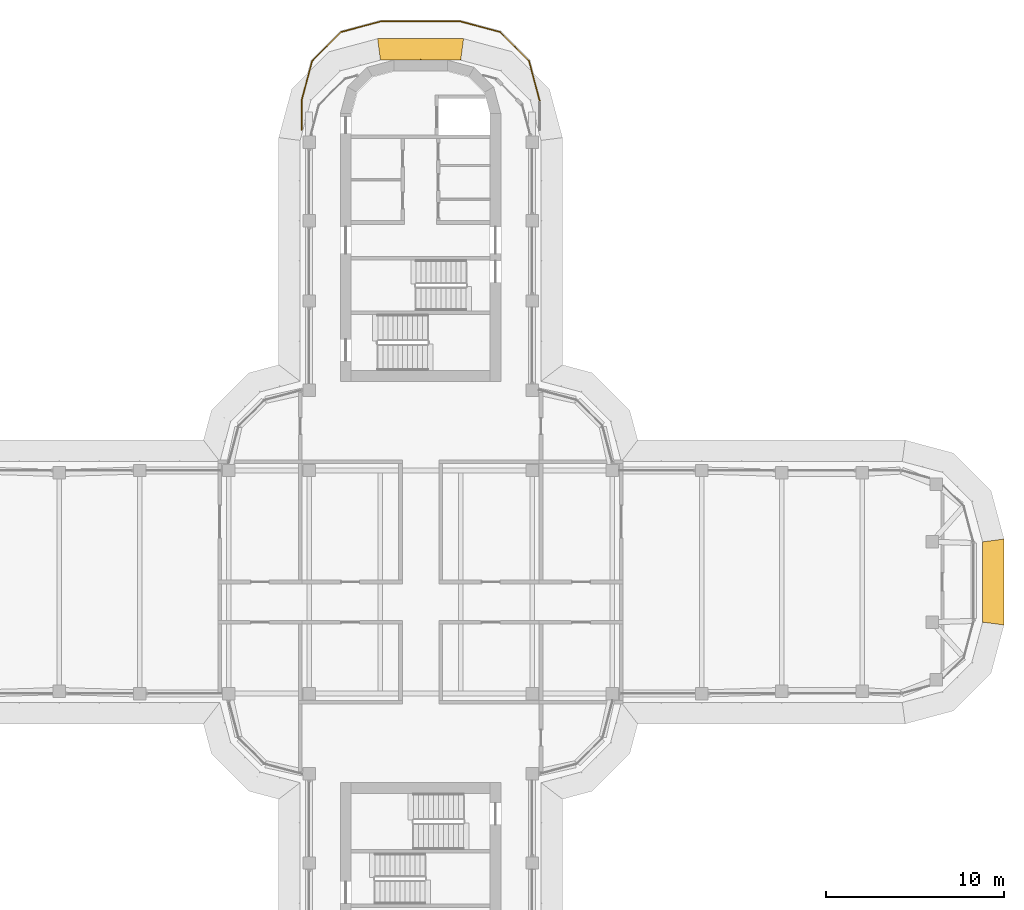
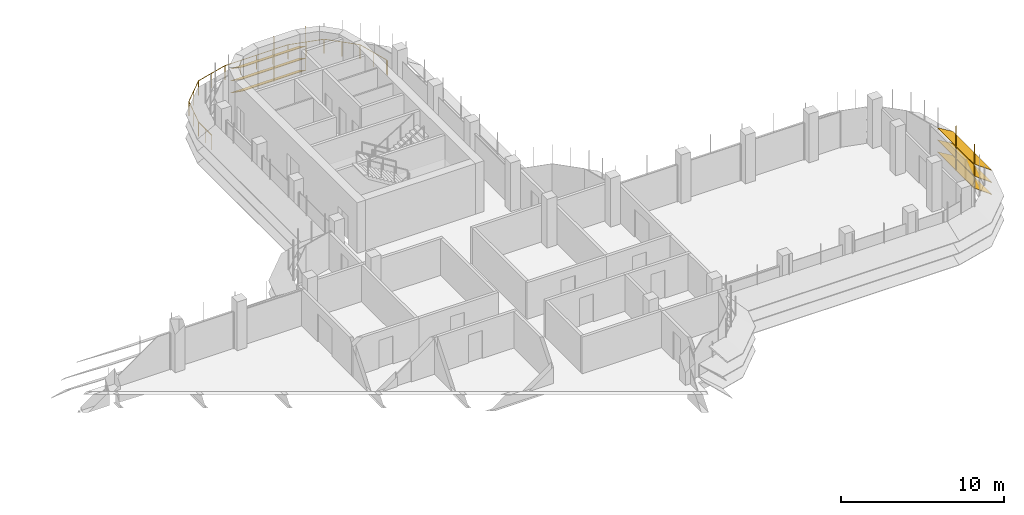
# One storey, part 19 of 19: 2 shading devices, 1 railing.
"""IFC4 building model written with IfcOpenShell, lengths in metres."""

from ifc_helpers import new_model, si_unit, direction, frame, origin, origin_2d, place, context, subcontext, project, spatial, polyline, circle, outline, extrude, faceted_brep, source, transform, mapped, material, type_object, element, save


model = new_model("IFC4")

# Units and contexts
model_context = context("Model", 3, precision=1e-05, world=origin(), true_north=direction((0.0, 1.0)))
body_context = subcontext(model_context, "Body", "Model", "MODEL_VIEW")
ifc_project = project(units=[si_unit("LENGTHUNIT", "METRE"), si_unit("AREAUNIT", "SQUARE_METRE"), si_unit("VOLUMEUNIT", "CUBIC_METRE"), si_unit("PLANEANGLEUNIT", "RADIAN"), si_unit("MASSUNIT", "GRAM", prefix="KILO")], contexts=[model_context])

# Site, building, storey
site_placement = place(None, origin())
site = spatial("IfcSite", under=ifc_project, at=site_placement, CompositionType="ELEMENT")
building_placement = place(site_placement, origin())
building = spatial("IfcBuilding", under=site, at=building_placement, Name="Zarbagh Exchange Tower", CompositionType="ELEMENT")
storey_placement = place(building_placement, frame((0.0, 0.0, 218.199951171875)))
storey = spatial("IfcBuildingStorey", under=building, at=storey_placement, Name="L53", CompositionType="ELEMENT", Elevation=218.199951171875)

# Railing
ifc_material_1 = material(Name="Stainless steel and laminated glass", Category="steel")
railing_type = type_object("IfcRailingType", Name="Terrace guard, glass balustrade 1.1 m", PredefinedType="GUARDRAIL", material=ifc_material_1)
railing_placement = place(storey_placement, frame((-6.669921875, 25.357666015625, 0.0)))
element("IfcRailing", 1, at=railing_placement, inside=storey, type_object=railing_type, Name="TG01 terrace guard", PredefinedType="GUARDRAIL", context=body_context, shape_type="SweptSolid", body=[
    extrude(circle(Radius=0.02490234375, at=origin_2d()), frame((0.0, 0.0, 1.0751953125), z_axis=(0.0, 1.0, 0.0), x_axis=(-1.0, 0.0, 0.0)), (0.0, 0.0, 1.0), 1.6318359375),
    extrude(circle(Radius=0.02490234375, at=origin_2d()), frame((0.0, 1.6318359375, 1.0751953125), z_axis=(0.258780353152, 0.965936192935, 0.0), x_axis=(-0.965936192935, 0.258780353152, 0.0)), (0.0, 0.0, 1.0), 2.29736328125),
    extrude(circle(Radius=0.02490234375, at=origin_2d()), frame((0.594482421875, 3.850830078125, 1.0751953125), z_axis=(0.707106781187, 0.707106781187, 0.0), x_axis=(-0.707106781187, 0.707106781187, 0.0)), (0.0, 0.0, 1.0), 2.28662109375),
    extrude(circle(Radius=0.02490234375, at=origin_2d()), frame((2.21142578125, 5.4677734375, 1.0751953125), z_axis=(0.965936192935, 0.258780353152, 0.0), x_axis=(-0.258780353152, 0.965936192935, 0.0)), (0.0, 0.0, 1.0), 2.29736328125),
    extrude(circle(Radius=0.02490234375, at=origin_2d()), frame((4.430419921875, 6.062255859375, 1.0751953125), z_axis=(1.0, 0.0, 0.0), x_axis=(0.0, 1.0, 0.0)), (0.0, 0.0, 1.0), 4.47900390625),
    extrude(circle(Radius=0.02490234375, at=origin_2d()), frame((8.909423828125, 6.062255859375, 1.0751953125), z_axis=(0.965936192935, -0.258780353152, 0.0), x_axis=(0.258780353152, 0.965936192935, 0.0)), (0.0, 0.0, 1.0), 2.29736328125),
    extrude(circle(Radius=0.02490234375, at=origin_2d()), frame((11.12841796875, 5.4677734375, 1.0751953125), z_axis=(0.707106781187, -0.707106781187, 0.0), x_axis=(0.707106781187, 0.707106781187, 0.0)), (0.0, 0.0, 1.0), 2.28662109375),
    extrude(circle(Radius=0.02490234375, at=origin_2d()), frame((12.745361328125, 3.850830078125, 1.0751953125), z_axis=(0.258780353152, -0.965936192935, 0.0), x_axis=(0.965936192935, 0.258780353152, 0.0)), (0.0, 0.0, 1.0), 2.29736328125),
    extrude(circle(Radius=0.02490234375, at=origin_2d()), frame((13.33984375, 1.6318359375, 1.0751953125), z_axis=(0.0, -1.0, 0.0), x_axis=(1.0, 0.0, 0.0)), (0.0, 0.0, 1.0), 0.126708984375),
    extrude(circle(Radius=0.02490234375, at=origin_2d()), origin(), (0.0, 0.0, 1.0), 1.050048828125),
    extrude(circle(Radius=0.02490234375, at=origin_2d()), frame((0.0, 0.81591796875, 0.0)), (0.0, 0.0, 1.0), 1.050048828125),
    extrude(circle(Radius=0.02490234375, at=origin_2d()), frame((0.0, 1.6318359375, 0.0)), (0.0, 0.0, 1.0), 1.050048828125),
    extrude(circle(Radius=0.02490234375, at=origin_2d()), frame((0.29736328125, 2.7412109375, 0.0)), (0.0, 0.0, 1.0), 1.050048828125),
    extrude(circle(Radius=0.02490234375, at=origin_2d()), frame((0.594482421875, 3.850830078125, 0.0)), (0.0, 0.0, 1.0), 1.050048828125),
    extrude(circle(Radius=0.02490234375, at=origin_2d()), frame((1.40283203125, 4.6591796875, 0.0)), (0.0, 0.0, 1.0), 1.050048828125),
    extrude(circle(Radius=0.02490234375, at=origin_2d()), frame((2.21142578125, 5.4677734375, 0.0)), (0.0, 0.0, 1.0), 1.050048828125),
    extrude(circle(Radius=0.02490234375, at=origin_2d()), frame((3.32080078125, 5.76513671875, 0.0)), (0.0, 0.0, 1.0), 1.050048828125),
    extrude(circle(Radius=0.02490234375, at=origin_2d()), frame((4.430419921875, 6.062255859375, 0.0)), (0.0, 0.0, 1.0), 1.050048828125),
    extrude(circle(Radius=0.02490234375, at=origin_2d()), frame((5.55029296875, 6.062255859375, 0.0)), (0.0, 0.0, 1.0), 1.050048828125),
    extrude(circle(Radius=0.02490234375, at=origin_2d()), frame((6.669921875, 6.062255859375, 0.0)), (0.0, 0.0, 1.0), 1.050048828125),
    extrude(circle(Radius=0.02490234375, at=origin_2d()), frame((7.78955078125, 6.062255859375, 0.0)), (0.0, 0.0, 1.0), 1.050048828125),
    extrude(circle(Radius=0.02490234375, at=origin_2d()), frame((8.909423828125, 6.062255859375, 0.0)), (0.0, 0.0, 1.0), 1.050048828125),
    extrude(circle(Radius=0.02490234375, at=origin_2d()), frame((10.01904296875, 5.76513671875, 0.0)), (0.0, 0.0, 1.0), 1.050048828125),
    extrude(circle(Radius=0.02490234375, at=origin_2d()), frame((11.12841796875, 5.4677734375, 0.0)), (0.0, 0.0, 1.0), 1.050048828125),
    extrude(circle(Radius=0.02490234375, at=origin_2d()), frame((11.93701171875, 4.6591796875, 0.0)), (0.0, 0.0, 1.0), 1.050048828125),
    extrude(circle(Radius=0.02490234375, at=origin_2d()), frame((12.745361328125, 3.850830078125, 0.0)), (0.0, 0.0, 1.0), 1.050048828125),
    extrude(circle(Radius=0.02490234375, at=origin_2d()), frame((13.04248046875, 2.7412109375, 0.0)), (0.0, 0.0, 1.0), 1.050048828125),
    extrude(circle(Radius=0.02490234375, at=origin_2d()), frame((13.33984375, 1.6318359375, 0.0)), (0.0, 0.0, 1.0), 1.050048828125),
    extrude(circle(Radius=0.02490234375, at=origin_2d()), frame((13.33984375, 1.505126953125, 0.0)), (0.0, 0.0, 1.0), 1.050048828125),
])

# Shading devices
ifc_material_2 = material(Name="Anodised aluminium blades and brackets", Category="aluminium")
shading_device_type = type_object("IfcShadingDeviceType", Name="SUNSHADE louvre band, 33.75 degree blades", PredefinedType="JALOUSIE", material=ifc_material_2)
shared_shape_1 = source(origin(), body_context, "Body", "Brep", [
    faceted_brep([(0.0, 0.0, 0.0), (0.0, 0.0, -0.048095703125), (-0.157958984375, -1.199951171875, -0.849853515625), (-0.157958984375, -1.199951171875, -0.8017578125), (4.657958984375, -1.199951171875, -0.8017578125), (4.657958984375, -1.199951171875, -0.849853515625), (4.5, 0.0, -0.048095703125), (4.5, 0.0, 0.0)], [[[0, 1, 2, 3]], [[4, 5, 6, 7]], [[0, 7, 6, 1]], [[1, 6, 5, 2]], [[2, 5, 4, 3]], [[3, 4, 7, 0]]]),
])
shared_shape_2 = source(origin(), body_context, "Body", "SweptSolid", [
    extrude(outline(polyline([(0.0, -0.012451171875), (0.06005859375, -0.012451171875), (0.06005859375, 0.012451171875), (0.0, 0.012451171875), (0.0, -0.012451171875)])), origin(), (0.0, 0.0, 1.0), 3.358154296875),
])
placement = place(storey_placement, origin())
element("IfcShadingDevice", 2, at=placement, inside=storey, type_object=shading_device_type, Name="SS32 sunshade band", PredefinedType="JALOUSIE", context=body_context, shape_type="MappedRepresentation", body=[
    mapped(shared_shape_1, transform((31.5, -2.25, 2.300048828125), x_axis=(0.0, 1.0, 0.0), y_axis=(-1.0, 0.0, 0.0), z_axis=(0.0, 0.0, 1.0))),
    mapped(shared_shape_1, transform((31.5, -2.25, 1.400146484375), x_axis=(0.0, 1.0, 0.0), y_axis=(-1.0, 0.0, 0.0), z_axis=(0.0, 0.0, 1.0))),
    mapped(shared_shape_1, transform((31.5, -2.25, 0.5), x_axis=(0.0, 1.0, 0.0), y_axis=(-1.0, 0.0, 0.0), z_axis=(0.0, 0.0, 1.0))),
    mapped(shared_shape_2, transform((31.5, -2.25, 0.421875), x_axis=(0.991444457092, -0.130529263012, 0.0), y_axis=(0.130529263012, 0.991444457092, 0.0), z_axis=(0.0, 0.0, 1.0))),
    mapped(shared_shape_2, transform((31.5, 0.0, 0.421875), x_axis=(1.0, 0.0, 0.0), y_axis=(0.0, 1.0, 0.0), z_axis=(0.0, 0.0, 1.0))),
])
element("IfcShadingDevice", 3, at=placement, inside=storey, type_object=shading_device_type, Name="SS47 sunshade band", PredefinedType="JALOUSIE", context=body_context, shape_type="MappedRepresentation", body=[
    mapped(shared_shape_1, transform((2.25, 29.25, 2.300048828125), x_axis=(-1.0, 0.0, 0.0), y_axis=(0.0, -1.0, 0.0), z_axis=(0.0, 0.0, 1.0))),
    mapped(shared_shape_1, transform((2.25, 29.25, 1.400146484375), x_axis=(-1.0, 0.0, 0.0), y_axis=(0.0, -1.0, 0.0), z_axis=(0.0, 0.0, 1.0))),
    mapped(shared_shape_1, transform((2.25, 29.25, 0.5), x_axis=(-1.0, 0.0, 0.0), y_axis=(0.0, -1.0, 0.0), z_axis=(0.0, 0.0, 1.0))),
    mapped(shared_shape_2, transform((2.25, 29.25, 0.421875), x_axis=(0.130529263012, 0.991444457092, 0.0), y_axis=(-0.991444457092, 0.130529263012, 0.0), z_axis=(0.0, 0.0, 1.0))),
    mapped(shared_shape_2, transform((0.0, 29.25, 0.421875), x_axis=(0.0, 1.0, 0.0), y_axis=(-1.0, 0.0, 0.0), z_axis=(0.0, 0.0, 1.0))),
])

save(model, "model.ifc")
